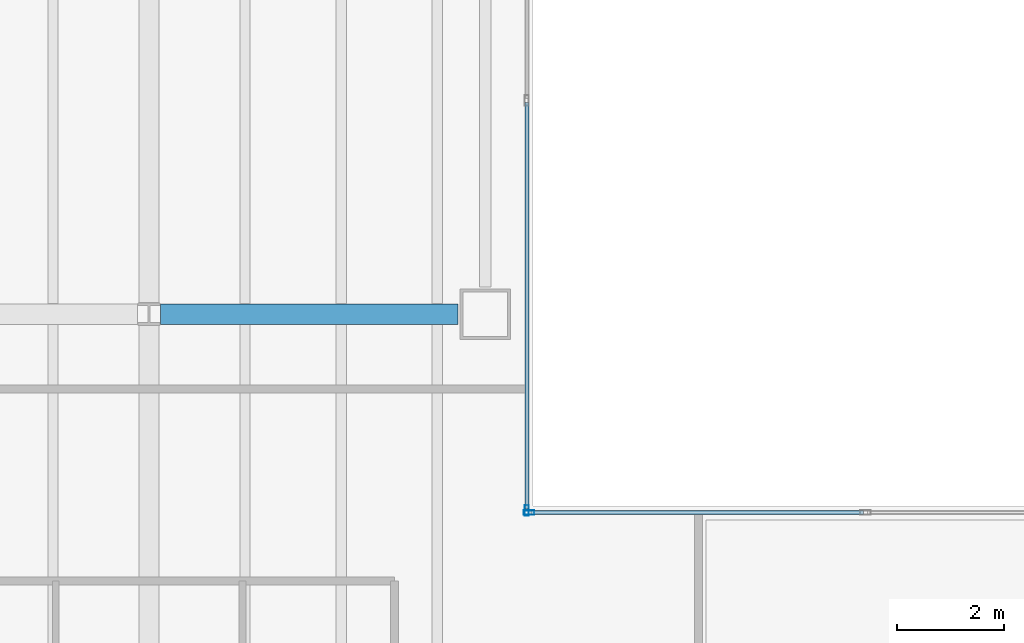
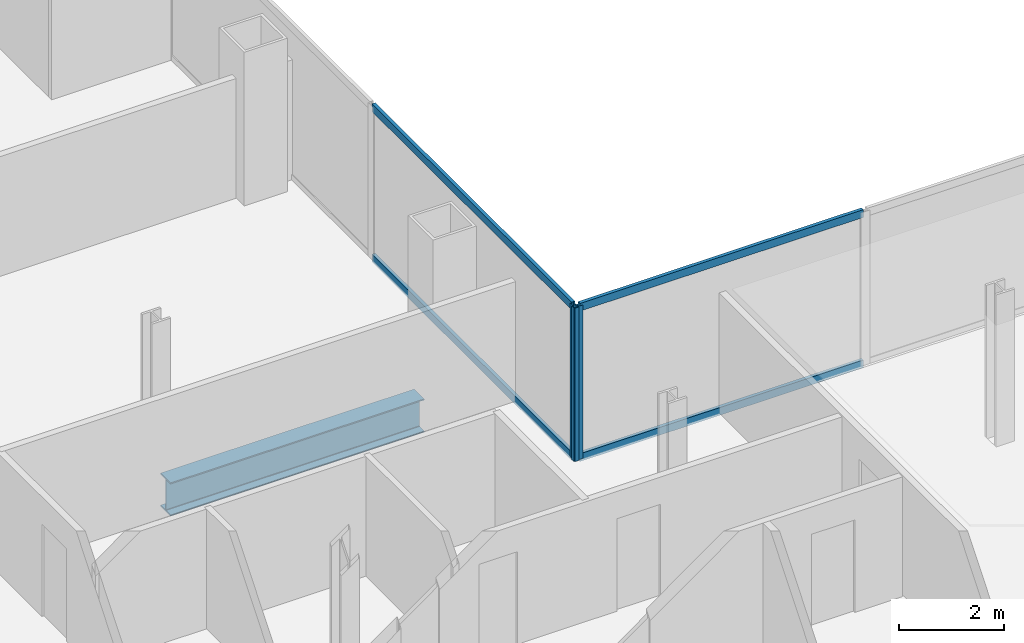
# One storey, part 6 of 24: 6 members, 1 beam, 2 elements without a shape of their own.
"""IFC4 building model written with IfcOpenShell, lengths in metres."""

from ifc_helpers import new_model, si_unit, direction, frame, origin, origin_2d, place, context, subcontext, project, spatial, hollow_rectangle, i_section, extrude, material, material_profile, profile_set, type_object, element, aggregate, save


model = new_model("IFC4")

# Units and contexts
model_context = context("Model", 3, precision=1e-05, world=origin(), true_north=direction((0.0, 1.0)))
body_context = subcontext(model_context, "Body", "Model", "MODEL_VIEW")
ifc_project = project(units=[si_unit("LENGTHUNIT", "METRE"), si_unit("AREAUNIT", "SQUARE_METRE"), si_unit("VOLUMEUNIT", "CUBIC_METRE"), si_unit("PLANEANGLEUNIT", "RADIAN"), si_unit("MASSUNIT", "GRAM", prefix="KILO")], contexts=[model_context])

# Site, building, storey
site_placement = place(None, origin())
site = spatial("IfcSite", under=ifc_project, at=site_placement, CompositionType="ELEMENT")
building_placement = place(site_placement, origin())
building = spatial("IfcBuilding", under=site, at=building_placement, Name="Cobrela Telecom Tower", CompositionType="ELEMENT")
storey_placement = place(building_placement, frame((0.0, 0.0, 77.35009765625)))
storey = spatial("IfcBuildingStorey", under=building, at=storey_placement, Name="L19", CompositionType="ELEMENT", Elevation=77.35009765625)

# Beam
ifc_material_1 = material(Name="Steel ASTM A992 Grade 50", Category="steel")
ifc_material_profile_1 = material_profile(ifc_material_1, i_section(OverallWidth=0.381103515625, OverallDepth=0.77197265625, WebThickness=0.0166015625, FlangeThickness=0.027099609375, FilletRadius=0.01904296875, at=origin_2d()), Name="W30X173")
ifc_profile_set_1 = profile_set([ifc_material_profile_1], Name="Steel ASTM A992 Grade 50")
beam_type = type_object("IfcBeamType", Name="BM-GIRD-04", PredefinedType="USERDEFINED", material=ifc_profile_set_1)
beam_placement = place(storey_placement, frame((21.81591796875, 28.800048828125, -0.666015625), z_axis=(1.0, 0.0, 0.0), x_axis=(0.0, 1.0, 0.0)))
element("IfcBeam", 1, at=beam_placement, inside=storey, type_object=beam_type, Name="L19 Primary Girder X24", ObjectType="GIRDER", PredefinedType="USERDEFINED", context=body_context, shape_type="SweptSolid", body=[
    extrude(i_section(OverallWidth=0.381103515625, OverallDepth=0.77197265625, WebThickness=0.0166015625, FlangeThickness=0.027099609375, FilletRadius=0.01904296875, at=origin_2d()), origin(), (0.0, 0.0, 1.0), 5.5791015625),
])

# Curtain wall, member
ifc_material_2 = material(Name="Anodized Bronze Aluminium 6063-T6", Category="aluminium")
curtain_wall_type = type_object("IfcCurtainWallType", Name="CW-SYS-DATA", PredefinedType="USERDEFINED", material=ifc_material_2)
curtain_wall_1_placement = place(storey_placement, origin())
curtain_wall_1 = element("IfcCurtainWall", 2, at=curtain_wall_1_placement, inside=storey, type_object=curtain_wall_type, Name="L19 Unitised Bronze Curtain Wall 10", ObjectType="UNITISED CURTAIN WALL", PredefinedType="USERDEFINED")
ifc_material_profile_2 = material_profile(ifc_material_2, hollow_rectangle(XDim=0.080078125, YDim=0.199951171875, WallThickness=0.00390625, at=origin_2d()), Name="ALU 80x200x4")
ifc_profile_set_2 = profile_set([ifc_material_profile_2], Name="Anodized Bronze Aluminium 6063-T6")
member_type_1 = type_object("IfcMemberType", Name="CW-SYS-DATA-MUL", PredefinedType="MULLION", material=ifc_profile_set_2)
member_1_placement = place(storey_placement, frame((28.679931640625, 25.1201171875, 0.0), z_axis=(0.0, 0.0, 1.0), x_axis=(1.0, 0.0, 0.0)))
member_1 = element("IfcMember", 3, at=member_1_placement, type_object=member_type_1, Name="CW-DATA mullion 3", PredefinedType="MULLION", context=body_context, shape_type="SweptSolid", body=[
    extrude(hollow_rectangle(XDim=0.080078125, YDim=0.199951171875, WallThickness=0.00390625, at=origin_2d()), origin(), (0.0, 0.0, 1.0), 3.56982421875),
])

curtain_wall_2_placement = place(storey_placement, origin())
curtain_wall_2 = element("IfcCurtainWall", 4, at=curtain_wall_2_placement, inside=storey, type_object=curtain_wall_type, Name="L19 Unitised Bronze Curtain Wall 11", ObjectType="UNITISED CURTAIN WALL", PredefinedType="USERDEFINED")
member_2_placement = place(storey_placement, frame((28.719970703125, 25.080078125, 0.0), z_axis=(0.0, 0.0, 1.0), x_axis=(0.0, 1.0, 0.0)))
member_2 = element("IfcMember", 5, at=member_2_placement, type_object=member_type_1, Name="CW-DATA mullion 1", PredefinedType="MULLION", context=body_context, shape_type="SweptSolid", body=[
    extrude(hollow_rectangle(XDim=0.080078125, YDim=0.199951171875, WallThickness=0.00390625, at=origin_2d()), origin(), (0.0, 0.0, 1.0), 3.56982421875),
])

# Member
ifc_material_profile_3 = material_profile(ifc_material_2, hollow_rectangle(XDim=0.074951171875, YDim=0.179931640625, WallThickness=0.00390625, at=origin_2d()), Name="ALU 75x180x4")
ifc_profile_set_3 = profile_set([ifc_material_profile_3], Name="Anodized Bronze Aluminium 6063-T6")
member_type_2 = type_object("IfcMemberType", Name="CW-SYS-DATA-TRN", PredefinedType="USERDEFINED", material=ifc_profile_set_3)
member_3_placement = place(storey_placement, frame((28.679931640625, 32.764892578125, 0.037353515625), z_axis=(0.0, -1.0, 0.0), x_axis=(1.0, 0.0, 0.0)))
member_3 = element("IfcMember", 6, at=member_3_placement, type_object=member_type_2, Name="CW-DATA transom 2.1", ObjectType="TRANSOM", PredefinedType="USERDEFINED", context=body_context, shape_type="SweptSolid", body=[
    extrude(hollow_rectangle(XDim=0.074951171875, YDim=0.179931640625, WallThickness=0.00390625, at=origin_2d()), origin(), (0.0, 0.0, 1.0), 7.60498046875),
])

member_4_placement = place(storey_placement, frame((28.679931640625, 32.764892578125, 3.532470703125), z_axis=(0.0, -1.0, 0.0), x_axis=(1.0, 0.0, 0.0)))
member_4 = element("IfcMember", 7, at=member_4_placement, type_object=member_type_2, Name="CW-DATA transom 2.2", ObjectType="TRANSOM", PredefinedType="USERDEFINED", context=body_context, shape_type="SweptSolid", body=[
    extrude(hollow_rectangle(XDim=0.074951171875, YDim=0.179931640625, WallThickness=0.00390625, at=origin_2d()), origin(), (0.0, 0.0, 1.0), 7.60498046875),
])

aggregate(curtain_wall_1, [member_1, member_3, member_4])

member_5_placement = place(storey_placement, frame((28.760009765625, 25.080078125, 0.037353515625), z_axis=(1.0, 0.0, 0.0), x_axis=(0.0, 1.0, 0.0)))
member_5 = element("IfcMember", 8, at=member_5_placement, type_object=member_type_2, Name="CW-DATA transom 1.1", ObjectType="TRANSOM", PredefinedType="USERDEFINED", context=body_context, shape_type="SweptSolid", body=[
    extrude(hollow_rectangle(XDim=0.074951171875, YDim=0.179931640625, WallThickness=0.00390625, at=origin_2d()), origin(), (0.0, 0.0, 1.0), 6.22998046875),
])

member_6_placement = place(storey_placement, frame((28.760009765625, 25.080078125, 3.532470703125), z_axis=(1.0, 0.0, 0.0), x_axis=(0.0, 1.0, 0.0)))
member_6 = element("IfcMember", 9, at=member_6_placement, type_object=member_type_2, Name="CW-DATA transom 1.2", ObjectType="TRANSOM", PredefinedType="USERDEFINED", context=body_context, shape_type="SweptSolid", body=[
    extrude(hollow_rectangle(XDim=0.074951171875, YDim=0.179931640625, WallThickness=0.00390625, at=origin_2d()), origin(), (0.0, 0.0, 1.0), 6.22998046875),
])

aggregate(curtain_wall_2, [member_2, member_5, member_6])

save(model, "model.ifc")
